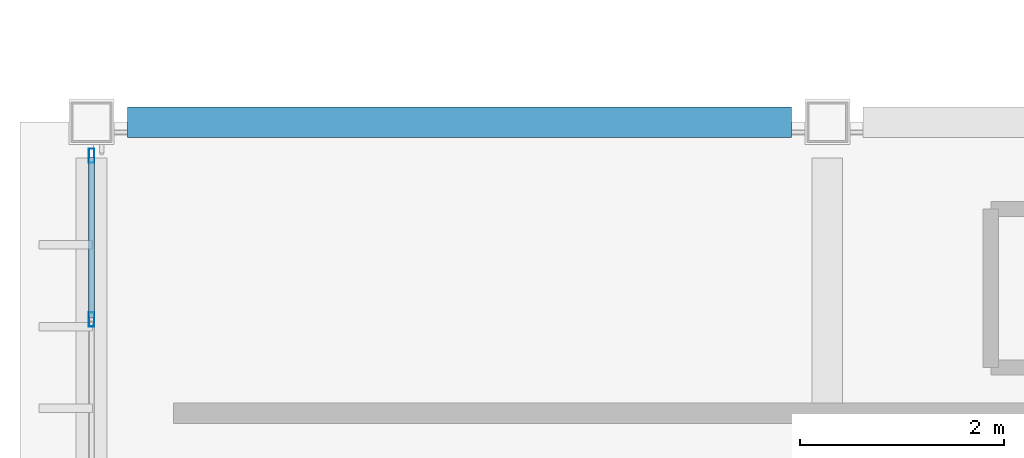
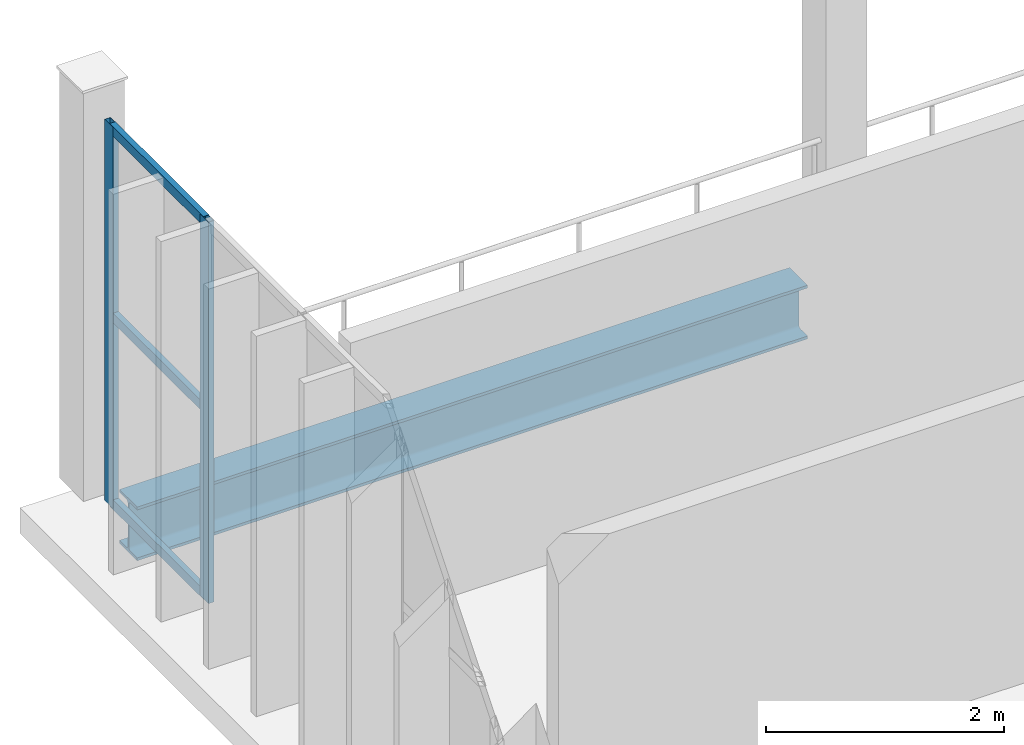
# One storey, part 59 of 130: 5 members, 1 beam, 1 element without a shape of its own.
"""IFC4 building model written with IfcOpenShell, lengths in metres."""

from ifc_helpers import new_model, si_unit, direction, frame, origin, origin_2d, place, context, subcontext, project, spatial, hollow_rectangle, i_section, extrude, material, material_profile, profile_set, type_object, element, aggregate, save


model = new_model("IFC4")

# Units and contexts
model_context = context("Model", 3, precision=1e-05, world=origin(), true_north=direction((0.0, 1.0)))
body_context = subcontext(model_context, "Body", "Model", "MODEL_VIEW")
ifc_project = project(units=[si_unit("LENGTHUNIT", "METRE"), si_unit("AREAUNIT", "SQUARE_METRE"), si_unit("VOLUMEUNIT", "CUBIC_METRE"), si_unit("PLANEANGLEUNIT", "RADIAN"), si_unit("MASSUNIT", "GRAM", prefix="KILO")], contexts=[model_context])

# Site, building, storey
site_placement = place(None, origin())
site = spatial("IfcSite", under=ifc_project, at=site_placement, CompositionType="ELEMENT")
building_placement = place(site_placement, origin())
building = spatial("IfcBuilding", under=site, at=building_placement, Name="Qandorah Velis Arena", CompositionType="ELEMENT")
storey_placement = place(building_placement, frame((0.0, 0.0, 9.60009765625)))
storey = spatial("IfcBuildingStorey", under=building, at=storey_placement, Name="L02", CompositionType="ELEMENT", Elevation=9.60009765625)

# Curtain wall, members
ifc_material_1 = material(Name="Solar-control low-E double glazing", Category="glass")
curtain_wall_type = type_object("IfcCurtainWallType", Name="ARC-CW-SYS20", PredefinedType="USERDEFINED", material=ifc_material_1)
curtain_wall_placement = place(storey_placement, origin())
curtain_wall = element("IfcCurtainWall", 1, at=curtain_wall_placement, inside=storey, type_object=curtain_wall_type, Name="Unitised curtain wall L02-020", ObjectType="UNITISED CURTAIN WALL", PredefinedType="USERDEFINED")
ifc_material_2 = material(Name="Champagne-bronze anodized aluminium 6063-T6", Category="aluminium")
ifc_material_profile_1 = material_profile(ifc_material_2, hollow_rectangle(XDim=0.054931640625, YDim=0.139892578125, WallThickness=0.0029296875, at=origin_2d()), Name="ALU MULLION 55x140")
ifc_profile_set_1 = profile_set([ifc_material_profile_1], Name="Champagne-bronze anodized aluminium 6063-T6")
member_type_1 = type_object("IfcMemberType", Name="ARC-CWM-140", PredefinedType="MULLION", material=ifc_profile_set_1)
member_1_placement = place(storey_placement, frame((0.0, 113.268798828125, -0.01513671875), z_axis=(0.0, 0.0, 1.0), x_axis=(-1.0, 0.0, 0.0)))
member_1 = element("IfcMember", 2, at=member_1_placement, type_object=member_type_1, Name="CW20 mullion 4", PredefinedType="MULLION", context=body_context, shape_type="SweptSolid", body=[
    extrude(hollow_rectangle(XDim=0.054931640625, YDim=0.139892578125, WallThickness=0.0029296875, at=origin_2d()), origin(), (0.0, 0.0, 1.0), 3.91015625),
])
member_2_placement = place(storey_placement, frame((0.0, 114.87255859375, -0.01513671875), z_axis=(0.0, 0.0, 1.0), x_axis=(-1.0, 0.0, 0.0)))
member_2 = element("IfcMember", 3, at=member_2_placement, type_object=member_type_1, Name="CW20 mullion 5", PredefinedType="MULLION", context=body_context, shape_type="SweptSolid", body=[
    extrude(hollow_rectangle(XDim=0.054931640625, YDim=0.139892578125, WallThickness=0.0029296875, at=origin_2d()), origin(), (0.0, 0.0, 1.0), 3.91015625),
])
ifc_material_profile_2 = material_profile(ifc_material_2, hollow_rectangle(XDim=0.054931640625, YDim=0.10009765625, WallThickness=0.0029296875, at=origin_2d()), Name="ALU TRANSOM 55x100")
ifc_profile_set_2 = profile_set([ifc_material_profile_2], Name="Champagne-bronze anodized aluminium 6063-T6")
member_type_2 = type_object("IfcMemberType", Name="ARC-CWT-100", PredefinedType="USERDEFINED", material=ifc_profile_set_2)
member_3_placement = place(storey_placement, frame((0.0, 113.2841796875, 0.02734375), z_axis=(0.0, 1.0, 0.0), x_axis=(-1.0, 0.0, 0.0)))
member_3 = element("IfcMember", 4, at=member_3_placement, type_object=member_type_2, Name="CW20 transom 4.1", ObjectType="TRANSOM", PredefinedType="USERDEFINED", context=body_context, shape_type="SweptSolid", body=[
    extrude(hollow_rectangle(XDim=0.054931640625, YDim=0.10009765625, WallThickness=0.0029296875, at=origin_2d()), origin(), (0.0, 0.0, 1.0), 1.57275390625),
])
member_4_placement = place(storey_placement, frame((0.0, 113.2841796875, 1.93994140625), z_axis=(0.0, 1.0, 0.0), x_axis=(-1.0, 0.0, 0.0)))
member_4 = element("IfcMember", 5, at=member_4_placement, type_object=member_type_2, Name="CW20 transom 4.2", ObjectType="TRANSOM", PredefinedType="USERDEFINED", context=body_context, shape_type="SweptSolid", body=[
    extrude(hollow_rectangle(XDim=0.054931640625, YDim=0.10009765625, WallThickness=0.0029296875, at=origin_2d()), origin(), (0.0, 0.0, 1.0), 1.57275390625),
])
member_5_placement = place(storey_placement, frame((0.0, 113.2841796875, 3.852294921875), z_axis=(0.0, 1.0, 0.0), x_axis=(-1.0, 0.0, 0.0)))
member_5 = element("IfcMember", 6, at=member_5_placement, type_object=member_type_2, Name="CW20 transom 4.3", ObjectType="TRANSOM", PredefinedType="USERDEFINED", context=body_context, shape_type="SweptSolid", body=[
    extrude(hollow_rectangle(XDim=0.054931640625, YDim=0.10009765625, WallThickness=0.0029296875, at=origin_2d()), origin(), (0.0, 0.0, 1.0), 1.57275390625),
])
aggregate(curtain_wall, [member_1, member_2, member_3, member_4, member_5])

# Beam
ifc_material_3 = material(Name="Steel S355", Category="steel")
ifc_material_profile_3 = material_profile(ifc_material_3, i_section(OverallWidth=0.300048828125, OverallDepth=0.550048828125, WebThickness=0.014892578125, FlangeThickness=0.029052734375, FilletRadius=0.027099609375, at=origin_2d()), Name="HEB 550")
ifc_profile_set_3 = profile_set([ifc_material_profile_3], Name="Steel S355")
beam_type = type_object("IfcBeamType", Name="STR-BM-HEB550", PredefinedType="BEAM", material=ifc_profile_set_3)
beam_placement = place(storey_placement, frame((0.35009765625, 115.199951171875, -0.55517578125), z_axis=(1.0, 0.0, 0.0), x_axis=(0.0, 1.0, 0.0)))
element("IfcBeam", 7, at=beam_placement, inside=storey, type_object=beam_type, Name="Primary floor girder L02 X-144", PredefinedType="BEAM", context=body_context, shape_type="SweptSolid", body=[
    extrude(i_section(OverallWidth=0.300048828125, OverallDepth=0.550048828125, WebThickness=0.014892578125, FlangeThickness=0.029052734375, FilletRadius=0.027099609375, at=origin_2d()), origin(), (0.0, 0.0, 1.0), 6.5),
])

save(model, "model.ifc")
